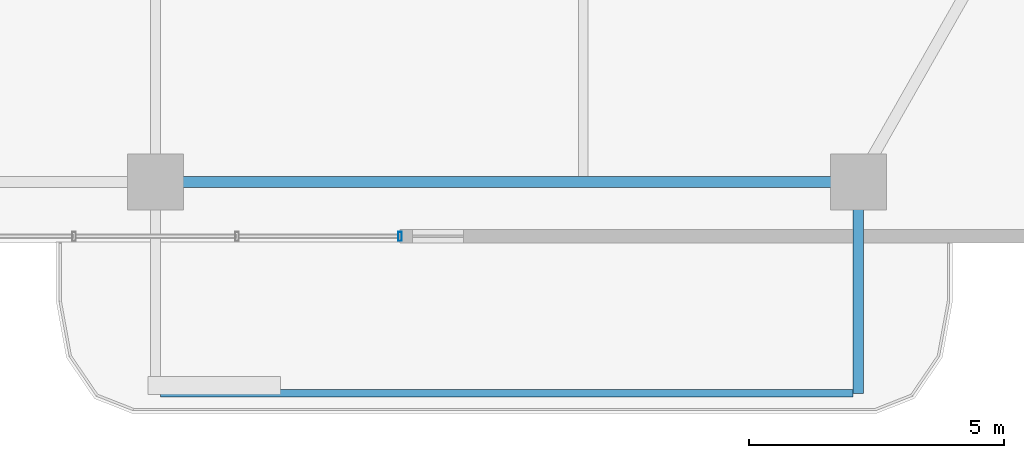
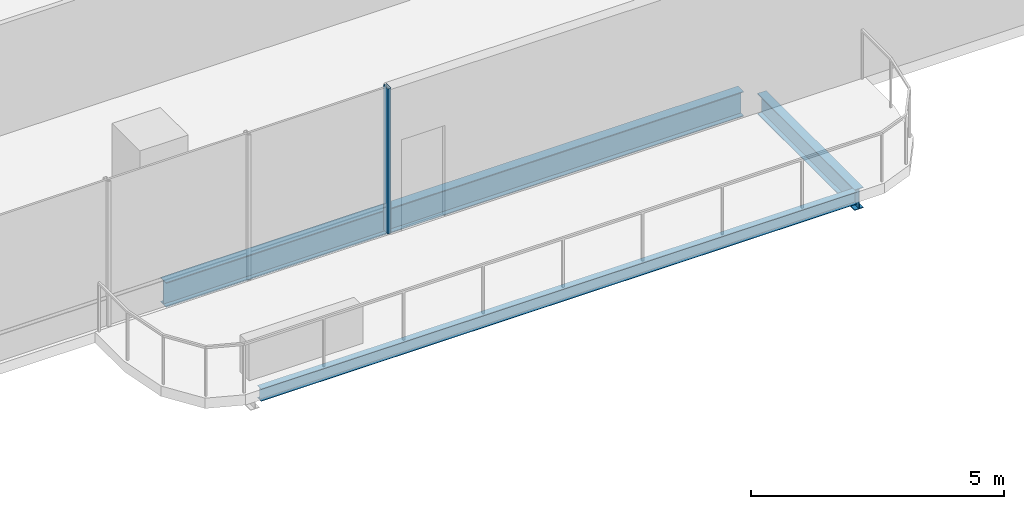
# One storey, part 6 of 24: 3 beams, 1 member, 1 element without a shape of its own.
"""IFC4 building model written with IfcOpenShell, lengths in metres."""

from ifc_helpers import new_model, si_unit, direction, frame, origin, origin_2d, place, context, subcontext, project, spatial, hollow_rectangle, i_section, extrude, material, layer, layer_set, material_profile, profile_set, type_object, element, aggregate, save


model = new_model("IFC4")

# Units and contexts
model_context = context("Model", 3, precision=1e-05, world=origin(), true_north=direction((0.0, 1.0)))
body_context = subcontext(model_context, "Body", "Model", "MODEL_VIEW")
ifc_project = project(units=[si_unit("LENGTHUNIT", "METRE"), si_unit("AREAUNIT", "SQUARE_METRE"), si_unit("VOLUMEUNIT", "CUBIC_METRE"), si_unit("PLANEANGLEUNIT", "RADIAN"), si_unit("MASSUNIT", "GRAM", prefix="KILO")], contexts=[model_context])

# Site, building, storey
site_placement = place(None, origin())
site = spatial("IfcSite", under=ifc_project, at=site_placement, CompositionType="ELEMENT")
building_placement = place(site_placement, origin())
building = spatial("IfcBuilding", under=site, at=building_placement, Name="Belovzor Exchange Tower", CompositionType="ELEMENT")
storey_placement = place(building_placement, frame((0.0, 0.0, 237.449951171875)))
storey = spatial("IfcBuildingStorey", under=building, at=storey_placement, Name="L59", CompositionType="ELEMENT", Elevation=237.449951171875)

# Beams
ifc_material_1 = material(Name="Steel S355", Category="steel")
ifc_material_profile_1 = material_profile(ifc_material_1, i_section(OverallWidth=0.199951171875, OverallDepth=0.5, WebThickness=0.01025390625, FlangeThickness=0.01611328125, at=origin_2d()))
ifc_profile_set_1 = profile_set([ifc_material_profile_1], Name="Steel S355")
beam_type_1 = type_object("IfcBeamType", Name="Planted Balcony Cantilever Beam IPE 500", PredefinedType="BEAM", material=ifc_profile_set_1)
beam_1_placement = place(storey_placement, frame((42.60009765625, 2.697021484375, -0.5), z_axis=(0.0, -1.0, 0.0), x_axis=(1.0, 0.0, 0.0)))
element("IfcBeam", 1, at=beam_1_placement, inside=storey, type_object=beam_type_1, Name="BC-500 Planted Balcony Cantilever Beam IPE 500", PredefinedType="BEAM", context=body_context, shape_type="SweptSolid", body=[
    extrude(i_section(OverallWidth=0.199951171875, OverallDepth=0.5, WebThickness=0.01025390625, FlangeThickness=0.01611328125, at=origin_2d()), origin(), (0.0, 0.0, 1.0), 3.85009765625),
])
ifc_material_2 = material(Name="Steel S355", Category="steel")
ifc_material_profile_2 = material_profile(ifc_material_2, i_section(OverallWidth=0.14990234375, OverallDepth=0.300048828125, WebThickness=0.007080078125, FlangeThickness=0.0107421875, at=origin_2d()))
ifc_profile_set_2 = profile_set([ifc_material_profile_2], Name="Steel S355")
beam_type_2 = type_object("IfcBeamType", Name="Planted Balcony Fascia Edge Beam IPE 300", PredefinedType="BEAM", material=ifc_profile_set_2)
beam_2_placement = place(storey_placement, frame((28.89990234375, -1.153076171875, -0.39990234375), z_axis=(1.0, 0.0, 0.0), x_axis=(0.0, 1.0, 0.0)))
element("IfcBeam", 2, at=beam_2_placement, inside=storey, type_object=beam_type_2, Name="BC-300 Planted Balcony Fascia Edge Beam IPE 300", PredefinedType="BEAM", context=body_context, shape_type="SweptSolid", body=[
    extrude(i_section(OverallWidth=0.14990234375, OverallDepth=0.300048828125, WebThickness=0.007080078125, FlangeThickness=0.0107421875, at=origin_2d()), origin(), (0.0, 0.0, 1.0), 13.60009765625),
])

# Curtain wall, member
ifc_material_3 = material(Name="Anodised Aluminium Framing", Category="aluminium")
ifc_layer = layer(ifc_material_3, 0.179931640625)
ifc_layer_set = layer_set([ifc_layer], Name="Anodised Aluminium Framing")
curtain_wall_type = type_object("IfcCurtainWallType", Name="Recessed Loggia Low-Iron Triple-Glazed Curtain Wall", PredefinedType="NOTDEFINED", material=ifc_layer_set)
curtain_wall_placement = place(storey_placement, origin())
curtain_wall = element("IfcCurtainWall", 3, at=curtain_wall_placement, inside=storey, type_object=curtain_wall_type, Name="CW3 Recessed Loggia Low-Iron Triple-Glazed Curtain Wall L59", PredefinedType="NOTDEFINED")
ifc_material_4 = material(Name="Steel S355", Category="steel")
ifc_material_profile_3 = material_profile(ifc_material_4, hollow_rectangle(XDim=0.074951171875, YDim=0.179931640625, WallThickness=0.0048828125, at=origin_2d()))
ifc_profile_set_3 = profile_set([ifc_material_profile_3], Name="Steel S355")
member_type = type_object("IfcMemberType", Name="Thermally Broken Curtain Wall Mullion 180x75", PredefinedType="MULLION", material=ifc_profile_set_3)
member_placement = place(storey_placement, frame((33.60009765625, 1.929931640625, 0.0), z_axis=(0.0, 0.0, 1.0), x_axis=(-1.0, 0.0, 0.0)))
member = element("IfcMember", 4, at=member_placement, type_object=member_type, Name="CW-M180 Curtain Wall Mullion 1", PredefinedType="MULLION", context=body_context, shape_type="SweptSolid", body=[
    extrude(hollow_rectangle(XDim=0.074951171875, YDim=0.179931640625, WallThickness=0.0048828125, at=origin_2d()), origin(), (0.0, 0.0, 1.0), 3.5),
])
aggregate(curtain_wall, [member])

# Beam
ifc_material_5 = material(Name="Steel S355", Category="steel")
ifc_material_profile_4 = material_profile(ifc_material_5, i_section(OverallWidth=0.219970703125, OverallDepth=0.60009765625, WebThickness=0.011962890625, FlangeThickness=0.01904296875, at=origin_2d()))
ifc_profile_set_4 = profile_set([ifc_material_profile_4], Name="Steel S355")
beam_type_3 = type_object("IfcBeamType", Name="Zone 4 Flare Primary Girder IPE 600", PredefinedType="BEAM", material=ifc_profile_set_4)
beam_3_placement = place(storey_placement, frame((29.10205078125, 3.0, -0.550048828125), z_axis=(1.0, 0.0, 0.0), x_axis=(0.0, 1.0, 0.0)))
element("IfcBeam", 5, at=beam_3_placement, inside=storey, type_object=beam_type_3, Name="FG-Z4 Zone 4 Flare Primary Girder IPE 600", PredefinedType="BEAM", context=body_context, shape_type="SweptSolid", body=[
    extrude(i_section(OverallWidth=0.219970703125, OverallDepth=0.60009765625, WebThickness=0.011962890625, FlangeThickness=0.01904296875, at=origin_2d()), origin(), (0.0, 0.0, 1.0), 13.195068359375),
])

save(model, "model.ifc")
